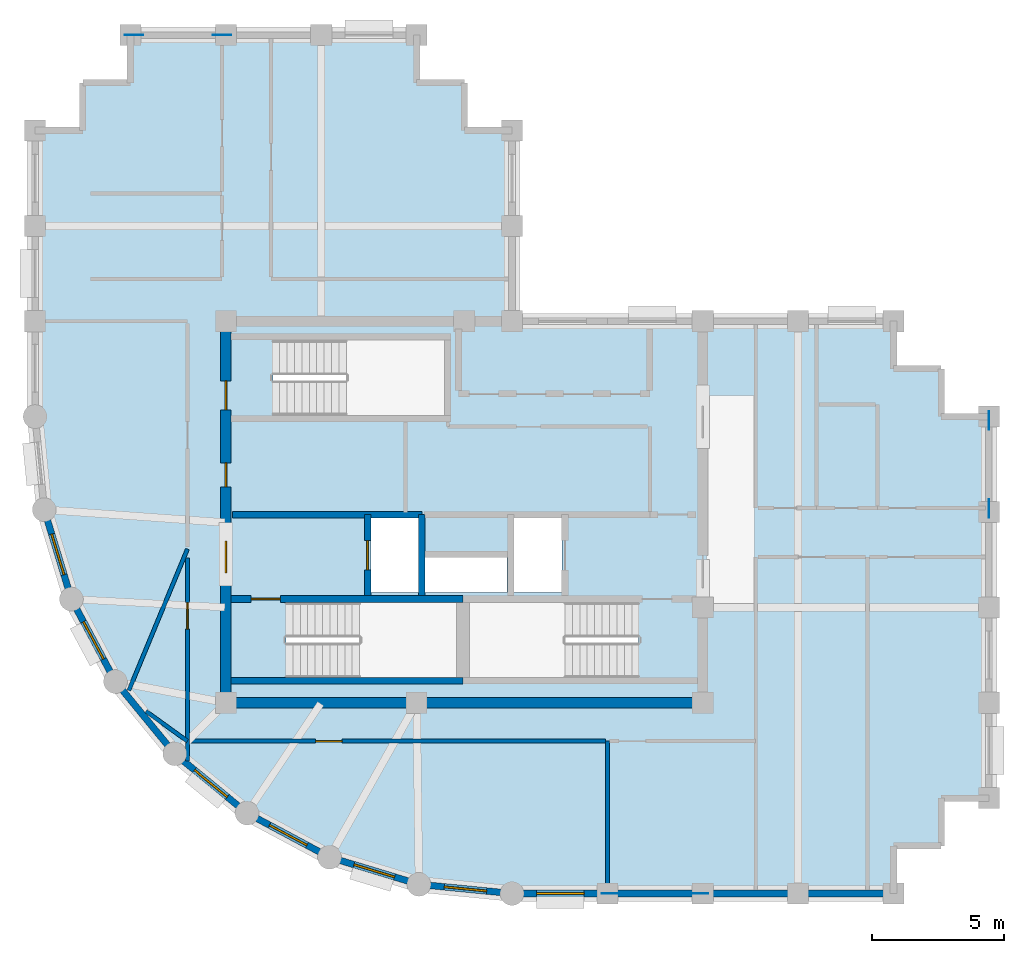
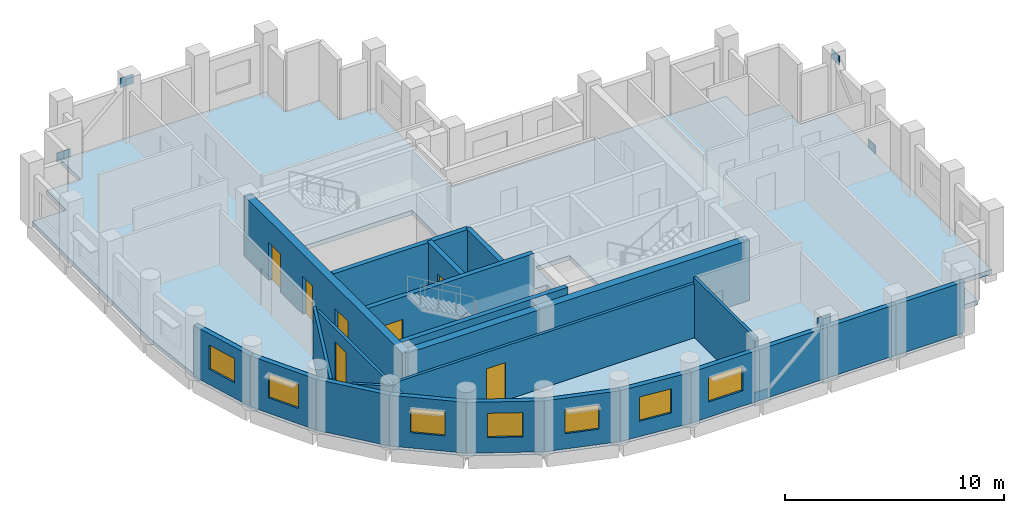
# One storey, part 2 of 7: 23 walls, 7 doors, 7 windows, 6 plates, 1 slab, 14 openings.
"""IFC4 building model written with IfcOpenShell, lengths in metres."""

from ifc_helpers import new_model, si_unit, direction, frame, frame_2d, origin, origin_2d, place, context, subcontext, project, spatial, polyline, rectangle, outline, extrude, material, layer, layer_set, type_object, element, fill, save


model = new_model("IFC4")

# Units and contexts
model_context = context("Model", 3, precision=1e-05, world=origin(), true_north=direction((0.0, 1.0)))
body_context = subcontext(model_context, "Body", "Model", "MODEL_VIEW")
ifc_project = project(units=[si_unit("LENGTHUNIT", "METRE"), si_unit("AREAUNIT", "SQUARE_METRE"), si_unit("VOLUMEUNIT", "CUBIC_METRE"), si_unit("PLANEANGLEUNIT", "RADIAN"), si_unit("MASSUNIT", "GRAM", prefix="KILO")], contexts=[model_context])

# Site, building, storey
site_placement = place(None, origin())
site = spatial("IfcSite", under=ifc_project, at=site_placement, CompositionType="ELEMENT")
building_placement = place(site_placement, origin())
building = spatial("IfcBuilding", under=site, at=building_placement, Name="Solnavia Interchange Tower", CompositionType="ELEMENT")
storey_placement = place(building_placement, frame((0.0, 0.0, 259.39990234375)))
storey = spatial("IfcBuildingStorey", under=building, at=storey_placement, Name="L65", CompositionType="ELEMENT", Elevation=259.39990234375)

# Plates
ifc_material_1 = material(Name="Steel S460", Category="steel")
ifc_layer_1 = layer(ifc_material_1, 0.030029296875)
ifc_layer_set_1 = layer_set([ifc_layer_1], Name="Steel S460")
plate_type = type_object("IfcPlateType", Name="Plate-Gusset-700x520x30", PredefinedType="USERDEFINED", material=ifc_layer_set_1)
for number, where, z_axis, x_axis, name in (
    (1, (28.93994140625, 3.60009765625, -0.079833984375), (0.0, 0.0, 1.0), (1.0, 0.0, 0.0), "PLT-L65-GP01 Perimeter brace gusset plate"),
    (2, (32.260009765625, 3.60009765625, 2.91015625), (0.0, 0.0, 1.0), (1.0, 0.0, 0.0), "PLT-L65-GP02 Perimeter brace gusset plate"),
    (3, (43.199951171875, 18.139892578125, -0.079833984375), (0.0, 0.0, 1.0), (0.0, 1.0, 0.0), "PLT-L65-GP03 Perimeter brace gusset plate"),
    (4, (43.199951171875, 21.4599609375, 2.91015625), (0.0, 0.0, 1.0), (0.0, 1.0, 0.0), "PLT-L65-GP04 Perimeter brace gusset plate"),
    (5, (10.93994140625, 36.0, -0.079833984375), (0.0, 0.0, 1.0), (1.0, 0.0, 0.0), "PLT-L65-GP05 Perimeter brace gusset plate"),
    (6, (14.260009765625, 36.0, 2.91015625), (0.0, 0.0, 1.0), (1.0, 0.0, 0.0), "PLT-L65-GP06 Perimeter brace gusset plate"),
):
    element("IfcPlate", number, at=place(storey_placement, frame(where, z_axis=z_axis, x_axis=x_axis)), inside=storey, type_object=plate_type, Name=name, ObjectType="GUSSET PLATE", PredefinedType="USERDEFINED", context=body_context, shape_type="SweptSolid", body=[
        extrude(rectangle(XDim=0.699951171875, YDim=0.030029296875, at=origin_2d()), origin(), (0.0, 0.0, 1.0), 0.52001953125),
    ])

# Slab
ifc_material_2 = material(Name="Concrete C40/50", Category="concrete")
ifc_layer_2 = layer(ifc_material_2, 0.25)
ifc_layer_set_2 = layer_set([ifc_layer_2], Name="Concrete C40/50")
slab_type = type_object("IfcSlabType", Name="Slab-Tower-250", PredefinedType="FLOOR", material=ifc_layer_set_2)
slab_placement = place(storey_placement, frame((0.0, 0.0, -0.25)))
element("IfcSlab", 7, at=slab_placement, inside=storey, type_object=slab_type, Name="SLB-L65-01 Structural floor slab", PredefinedType="FLOOR", context=body_context, shape_type="SweptSolid", body=[
    extrude(outline(polyline([(25.199951171875, 3.60009765625), (39.60009765625, 3.60009765625), (39.60009765625, 5.39990234375), (41.39990234375, 5.39990234375), (41.39990234375, 7.199951171875), (43.199951171875, 7.199951171875), (43.199951171875, 21.60009765625), (41.39990234375, 21.60009765625), (41.39990234375, 23.39990234375), (39.60009765625, 23.39990234375), (39.60009765625, 25.199951171875), (25.199951171875, 25.199951171875), (25.199951171875, 32.39990234375), (23.39990234375, 32.39990234375), (23.39990234375, 34.199951171875), (21.60009765625, 34.199951171875), (21.60009765625, 36.0), (10.800048828125, 36.0), (10.800048828125, 34.199951171875), (9.0, 34.199951171875), (9.0, 32.39990234375), (7.199951171875, 32.39990234375), (7.199951171875, 21.60009765625), (7.5458984375, 18.087890625), (8.570068359375, 14.7119140625), (10.23388671875, 11.60009765625), (12.471923828125, 8.8720703125), (15.199951171875, 6.634033203125), (18.31201171875, 4.969970703125), (21.68798828125, 3.946044921875), (25.199951171875, 3.60009765625)]), holes=[polyline([(16.675048828125, 11.75), (23.10009765625, 11.75), (23.10009765625, 14.590087890625), (16.675048828125, 14.590087890625), (16.675048828125, 11.75)]), polyline([(23.60009765625, 11.75), (29.97509765625, 11.75), (29.97509765625, 14.590087890625), (23.60009765625, 14.590087890625), (23.60009765625, 11.75)]), polyline([(16.175048828125, 21.64990234375), (22.64990234375, 21.64990234375), (22.64990234375, 24.489990234375), (16.175048828125, 24.489990234375), (16.175048828125, 21.64990234375)]), polyline([(19.8798828125, 14.9599609375), (21.679931640625, 14.9599609375), (21.679931640625, 17.780029296875), (19.8798828125, 17.780029296875), (19.8798828125, 14.9599609375)]), polyline([(25.280029296875, 14.9599609375), (27.080078125, 14.9599609375), (27.080078125, 17.780029296875), (25.280029296875, 17.780029296875), (25.280029296875, 14.9599609375)]), polyline([(21.919921875, 14.9599609375), (25.02001953125, 14.9599609375), (25.02001953125, 16.280029296875), (21.919921875, 16.280029296875), (21.919921875, 14.9599609375)])]), origin(), (0.0, 0.0, 1.0), 0.25),
])

# Wall, opening, window
ifc_layer_3 = layer(ifc_material_2, 0.25)
ifc_layer_set_3 = layer_set([ifc_layer_3], Name="Concrete C40/50")
wall_type_1 = type_object("IfcWallType", Name="Wall-ExtSpandrel-250", PredefinedType="STANDARD", material=ifc_layer_set_3)
wall_1_placement = place(storey_placement, frame((28.800048828125, 3.60009765625, 0.0), z_axis=(0.0, 0.0, 1.0), x_axis=(-1.0, 0.0, 0.0)))
wall_1 = element("IfcWall", 8, at=wall_1_placement, inside=storey, type_object=wall_type_1, Name="EXW-L65-01 Exterior precast spandrel wall", PredefinedType="STANDARD", context=body_context, shape_type="SweptSolid", body=[
    extrude(rectangle(XDim=3.60009765625, YDim=0.25, at=frame_2d((1.800048828125, 0.0))), origin(), (0.0, 0.0, 1.0), 2.830078125),
])
opening_1_placement = place(wall_1_placement, frame((0.875, 0.0, 0.85009765625)))
opening_1 = element("IfcOpeningElement", 9, at=opening_1_placement, cuts=wall_1, Name="Opening WIN-02", PredefinedType="OPENING", context=body_context, shape_type="SweptSolid", body=[
    extrude(rectangle(XDim=1.800048828125, YDim=1.35009765625, at=frame_2d((0.89990234375, 0.675048828125))), frame((0.0, 0.135009765625, 0.0), z_axis=(0.0, -1.0, 0.0), x_axis=(1.0, 0.0, 0.0)), (0.0, 0.0, 1.0), 0.27001953125),
])
ifc_material_3 = material(Name="Thermal-Break Aluminium & Low-E Glass", Category="aluminium")
window_type_1 = type_object("IfcWindowType", Name="Window-Ribbon-1800x1350", PartitioningType="SINGLE_PANEL", PredefinedType="WINDOW", material=ifc_material_3)
window_1_placement = place(opening_1_placement, origin())
window_1 = element("IfcWindow", 10, at=window_1_placement, inside=storey, type_object=window_type_1, Name="WIN-L65-01 Facade ribbon window", OverallHeight=1.35009765625, OverallWidth=1.800048828125, PartitioningType="SINGLE_PANEL", PredefinedType="WINDOW", context=body_context, shape_type="SweptSolid", body=[
    extrude(rectangle(XDim=1.800048828125, YDim=1.35009765625, at=frame_2d((0.89990234375, 0.675048828125))), frame((0.0, 0.030029296875, 0.0), z_axis=(0.0, -1.0, 0.0), x_axis=(1.0, 0.0, 0.0)), (0.0, 0.0, 1.0), 0.06005859375),
])
fill(opening_1, window_1)

# Walls
wall_2_placement = place(storey_placement, frame((32.39990234375, 3.60009765625, 0.0), z_axis=(0.0, 0.0, 1.0), x_axis=(-1.0, 0.0, 0.0)))
element("IfcWall", 11, at=wall_2_placement, inside=storey, type_object=wall_type_1, Name="EXW-L65-02 Exterior precast spandrel wall", PredefinedType="STANDARD", context=body_context, shape_type="SweptSolid", body=[
    extrude(rectangle(XDim=3.599853515625, YDim=0.25, at=frame_2d((1.7998046875, 0.0))), origin(), (0.0, 0.0, 1.0), 2.830078125),
])
for number, where, z_axis, x_axis, name in (
    (12, (36.0, 3.60009765625, 0.0), (0.0, 0.0, 1.0), (-1.0, 0.0, 0.0), "EXW-L65-03 Exterior precast spandrel wall"),
    (13, (39.60009765625, 3.60009765625, 0.0), (0.0, 0.0, 1.0), (-1.0, 0.0, 0.0), "EXW-L65-04 Exterior precast spandrel wall"),
):
    element("IfcWall", number, at=place(storey_placement, frame(where, z_axis=z_axis, x_axis=x_axis)), inside=storey, type_object=wall_type_1, Name=name, PredefinedType="STANDARD", context=body_context, shape_type="SweptSolid", body=[
        extrude(rectangle(XDim=3.60009765625, YDim=0.25, at=frame_2d((1.800048828125, 0.0))), origin(), (0.0, 0.0, 1.0), 2.830078125),
    ])

# Wall, opening, window
wall_3_placement = place(storey_placement, frame((8.570068359375, 14.7119140625, 0.0), z_axis=(0.0, 0.0, 1.0), x_axis=(-0.290305086481, 0.956934144423, 0.0)))
wall_3 = element("IfcWall", 14, at=wall_3_placement, inside=storey, type_object=wall_type_1, Name="EXW-L65-38 Exterior precast spandrel wall", PredefinedType="STANDARD", context=body_context, shape_type="SweptSolid", body=[
    extrude(rectangle(XDim=3.52783203125, YDim=0.25, at=frame_2d((1.763916015625, 0.0))), origin(), (0.0, 0.0, 1.0), 2.830078125),
])
opening_2_placement = place(wall_3_placement, frame((0.964111328125, 0.0, 0.85009765625)))
opening_2 = element("IfcOpeningElement", 15, at=opening_2_placement, cuts=wall_3, Name="Opening WIN-04", PredefinedType="OPENING", context=body_context, shape_type="SweptSolid", body=[
    extrude(rectangle(XDim=1.60009765625, YDim=1.35009765625, at=frame_2d((0.800048828125, 0.675048828125))), frame((0.0, 0.135009765625, 0.0), z_axis=(0.0, -1.0, 0.0), x_axis=(1.0, 0.0, 0.0)), (0.0, 0.0, 1.0), 0.27001953125),
])
window_type_2 = type_object("IfcWindowType", Name="Window-Drum-1600x1350", PartitioningType="SINGLE_PANEL", PredefinedType="WINDOW", material=ifc_material_3)
window_2_placement = place(opening_2_placement, origin())
window_2 = element("IfcWindow", 16, at=window_2_placement, inside=storey, type_object=window_type_2, Name="WIN-L65-38 Facade ribbon window", OverallHeight=1.35009765625, OverallWidth=1.60009765625, PartitioningType="SINGLE_PANEL", PredefinedType="WINDOW", context=body_context, shape_type="SweptSolid", body=[
    extrude(rectangle(XDim=1.60009765625, YDim=1.35009765625, at=frame_2d((0.800048828125, 0.675048828125))), frame((0.0, 0.030029296875, 0.0), z_axis=(0.0, -1.0, 0.0), x_axis=(1.0, 0.0, 0.0)), (0.0, 0.0, 1.0), 0.06005859375),
])
fill(opening_2, window_2)

wall_4_placement = place(storey_placement, frame((10.23388671875, 11.60009765625, 0.0), z_axis=(0.0, 0.0, 1.0), x_axis=(-0.47151087309, 0.881860247748, 0.0)))
wall_4 = element("IfcWall", 17, at=wall_4_placement, inside=storey, type_object=wall_type_1, Name="EXW-L65-39 Exterior precast spandrel wall", PredefinedType="STANDARD", context=body_context, shape_type="SweptSolid", body=[
    extrude(rectangle(XDim=3.52880859375, YDim=0.25, at=frame_2d((1.764404296875, 0.0))), origin(), (0.0, 0.0, 1.0), 2.830078125),
])
opening_3_placement = place(wall_4_placement, frame((0.964111328125, 0.0, 0.85009765625)))
opening_3 = element("IfcOpeningElement", 18, at=opening_3_placement, cuts=wall_4, Name="Opening WIN-04", PredefinedType="OPENING", context=body_context, shape_type="SweptSolid", body=[
    extrude(rectangle(XDim=1.60009765625, YDim=1.35009765625, at=frame_2d((0.800048828125, 0.675048828125))), frame((0.0, 0.135009765625, 0.0), z_axis=(0.0, -1.0, 0.0), x_axis=(1.0, 0.0, 0.0)), (0.0, 0.0, 1.0), 0.27001953125),
])
window_3_placement = place(opening_3_placement, origin())
window_3 = element("IfcWindow", 19, at=window_3_placement, inside=storey, type_object=window_type_2, Name="WIN-L65-39 Facade ribbon window", OverallHeight=1.35009765625, OverallWidth=1.60009765625, PartitioningType="SINGLE_PANEL", PredefinedType="WINDOW", context=body_context, shape_type="SweptSolid", body=[
    extrude(rectangle(XDim=1.60009765625, YDim=1.35009765625, at=frame_2d((0.800048828125, 0.675048828125))), frame((0.0, 0.030029296875, 0.0), z_axis=(0.0, -1.0, 0.0), x_axis=(1.0, 0.0, 0.0)), (0.0, 0.0, 1.0), 0.06005859375),
])
fill(opening_3, window_3)

# Wall
wall_5_placement = place(storey_placement, frame((12.471923828125, 8.8720703125, 0.0), z_axis=(0.0, 0.0, 1.0), x_axis=(-0.634258295121, 0.773121216285, 0.0)))
element("IfcWall", 20, at=wall_5_placement, inside=storey, type_object=wall_type_1, Name="EXW-L65-40 Exterior precast spandrel wall", PredefinedType="STANDARD", context=body_context, shape_type="SweptSolid", body=[
    extrude(rectangle(XDim=3.528564453125, YDim=0.25, at=frame_2d((1.76416015625, 0.0))), origin(), (0.0, 0.0, 1.0), 2.830078125),
])

# Wall, opening, window
wall_6_placement = place(storey_placement, frame((15.199951171875, 6.634033203125, 0.0), z_axis=(0.0, 0.0, 1.0), x_axis=(-0.773121216285, 0.634258295121, 0.0)))
wall_6 = element("IfcWall", 21, at=wall_6_placement, inside=storey, type_object=wall_type_1, Name="EXW-L65-41 Exterior precast spandrel wall", PredefinedType="STANDARD", context=body_context, shape_type="SweptSolid", body=[
    extrude(rectangle(XDim=3.528564453125, YDim=0.25, at=frame_2d((1.76416015625, 0.0))), origin(), (0.0, 0.0, 1.0), 2.830078125),
])
opening_4_placement = place(wall_6_placement, frame((0.964111328125, 0.0, 0.85009765625)))
opening_4 = element("IfcOpeningElement", 22, at=opening_4_placement, cuts=wall_6, Name="Opening WIN-04", PredefinedType="OPENING", context=body_context, shape_type="SweptSolid", body=[
    extrude(rectangle(XDim=1.60009765625, YDim=1.35009765625, at=frame_2d((0.800048828125, 0.675048828125))), frame((0.0, 0.135009765625, 0.0), z_axis=(0.0, -1.0, 0.0), x_axis=(1.0, 0.0, 0.0)), (0.0, 0.0, 1.0), 0.27001953125),
])
window_4_placement = place(opening_4_placement, origin())
window_4 = element("IfcWindow", 23, at=window_4_placement, inside=storey, type_object=window_type_2, Name="WIN-L65-41 Facade ribbon window", OverallHeight=1.35009765625, OverallWidth=1.60009765625, PartitioningType="SINGLE_PANEL", PredefinedType="WINDOW", context=body_context, shape_type="SweptSolid", body=[
    extrude(rectangle(XDim=1.60009765625, YDim=1.35009765625, at=frame_2d((0.800048828125, 0.675048828125))), frame((0.0, 0.030029296875, 0.0), z_axis=(0.0, -1.0, 0.0), x_axis=(1.0, 0.0, 0.0)), (0.0, 0.0, 1.0), 0.06005859375),
])
fill(opening_4, window_4)

wall_7_placement = place(storey_placement, frame((18.31201171875, 4.969970703125, 0.0), z_axis=(0.0, 0.0, 1.0), x_axis=(-0.881846862014, 0.471535907389, 0.0)))
wall_7 = element("IfcWall", 24, at=wall_7_placement, inside=storey, type_object=wall_type_1, Name="EXW-L65-42 Exterior precast spandrel wall", PredefinedType="STANDARD", context=body_context, shape_type="SweptSolid", body=[
    extrude(rectangle(XDim=3.529052734375, YDim=0.25, at=frame_2d((1.7646484375, 0.0))), origin(), (0.0, 0.0, 1.0), 2.830078125),
])
opening_5_placement = place(wall_7_placement, frame((0.964111328125, 0.0, 0.85009765625)))
opening_5 = element("IfcOpeningElement", 25, at=opening_5_placement, cuts=wall_7, Name="Opening WIN-04", PredefinedType="OPENING", context=body_context, shape_type="SweptSolid", body=[
    extrude(rectangle(XDim=1.60009765625, YDim=1.35009765625, at=frame_2d((0.800048828125, 0.675048828125))), frame((0.0, 0.135009765625, 0.0), z_axis=(0.0, -1.0, 0.0), x_axis=(1.0, 0.0, 0.0)), (0.0, 0.0, 1.0), 0.27001953125),
])
window_5_placement = place(opening_5_placement, origin())
window_5 = element("IfcWindow", 26, at=window_5_placement, inside=storey, type_object=window_type_2, Name="WIN-L65-42 Facade ribbon window", OverallHeight=1.35009765625, OverallWidth=1.60009765625, PartitioningType="SINGLE_PANEL", PredefinedType="WINDOW", context=body_context, shape_type="SweptSolid", body=[
    extrude(rectangle(XDim=1.60009765625, YDim=1.35009765625, at=frame_2d((0.800048828125, 0.675048828125))), frame((0.0, 0.030029296875, 0.0), z_axis=(0.0, -1.0, 0.0), x_axis=(1.0, 0.0, 0.0)), (0.0, 0.0, 1.0), 0.06005859375),
])
fill(opening_5, window_5)

wall_8_placement = place(storey_placement, frame((21.68798828125, 3.946044921875, 0.0), z_axis=(0.0, 0.0, 1.0), x_axis=(-0.956953367403, 0.290241714123, 0.0)))
wall_8 = element("IfcWall", 27, at=wall_8_placement, inside=storey, type_object=wall_type_1, Name="EXW-L65-43 Exterior precast spandrel wall", PredefinedType="STANDARD", context=body_context, shape_type="SweptSolid", body=[
    extrude(rectangle(XDim=3.52783203125, YDim=0.25, at=frame_2d((1.763916015625, 0.0))), origin(), (0.0, 0.0, 1.0), 2.830078125),
])
opening_6_placement = place(wall_8_placement, frame((0.964111328125, 0.0, 0.85009765625)))
opening_6 = element("IfcOpeningElement", 28, at=opening_6_placement, cuts=wall_8, Name="Opening WIN-04", PredefinedType="OPENING", context=body_context, shape_type="SweptSolid", body=[
    extrude(rectangle(XDim=1.60009765625, YDim=1.35009765625, at=frame_2d((0.800048828125, 0.675048828125))), frame((0.0, 0.135009765625, 0.0), z_axis=(0.0, -1.0, 0.0), x_axis=(1.0, 0.0, 0.0)), (0.0, 0.0, 1.0), 0.27001953125),
])
window_6_placement = place(opening_6_placement, origin())
window_6 = element("IfcWindow", 29, at=window_6_placement, inside=storey, type_object=window_type_2, Name="WIN-L65-43 Facade ribbon window", OverallHeight=1.35009765625, OverallWidth=1.60009765625, PartitioningType="SINGLE_PANEL", PredefinedType="WINDOW", context=body_context, shape_type="SweptSolid", body=[
    extrude(rectangle(XDim=1.60009765625, YDim=1.35009765625, at=frame_2d((0.800048828125, 0.675048828125))), frame((0.0, 0.030029296875, 0.0), z_axis=(0.0, -1.0, 0.0), x_axis=(1.0, 0.0, 0.0)), (0.0, 0.0, 1.0), 0.06005859375),
])
fill(opening_6, window_6)

wall_9_placement = place(storey_placement, frame((25.199951171875, 3.60009765625, 0.0), z_axis=(0.0, 0.0, 1.0), x_axis=(-0.995183369056, 0.098030923459, 0.0)))
wall_9 = element("IfcWall", 30, at=wall_9_placement, inside=storey, type_object=wall_type_1, Name="EXW-L65-44 Exterior precast spandrel wall", PredefinedType="STANDARD", context=body_context, shape_type="SweptSolid", body=[
    extrude(rectangle(XDim=3.529052734375, YDim=0.25, at=frame_2d((1.7646484375, 0.0))), origin(), (0.0, 0.0, 1.0), 2.830078125),
])
opening_7_placement = place(wall_9_placement, frame((0.965087890625, 0.0, 0.85009765625)))
opening_7 = element("IfcOpeningElement", 31, at=opening_7_placement, cuts=wall_9, Name="Opening WIN-04", PredefinedType="OPENING", context=body_context, shape_type="SweptSolid", body=[
    extrude(rectangle(XDim=1.60009765625, YDim=1.35009765625, at=frame_2d((0.800048828125, 0.675048828125))), frame((0.0, 0.135009765625, 0.0), z_axis=(0.0, -1.0, 0.0), x_axis=(1.0, 0.0, 0.0)), (0.0, 0.0, 1.0), 0.27001953125),
])
window_7_placement = place(opening_7_placement, origin())
window_7 = element("IfcWindow", 32, at=window_7_placement, inside=storey, type_object=window_type_2, Name="WIN-L65-44 Facade ribbon window", OverallHeight=1.35009765625, OverallWidth=1.60009765625, PartitioningType="SINGLE_PANEL", PredefinedType="WINDOW", context=body_context, shape_type="SweptSolid", body=[
    extrude(rectangle(XDim=1.60009765625, YDim=1.35009765625, at=frame_2d((0.800048828125, 0.675048828125))), frame((0.0, 0.030029296875, 0.0), z_axis=(0.0, -1.0, 0.0), x_axis=(1.0, 0.0, 0.0)), (0.0, 0.0, 1.0), 0.06005859375),
])
fill(opening_7, window_7)

# Walls
ifc_material_4 = material(Name="Gypsum Plasterboard & Steel Stud", Category="steel")
ifc_layer_4 = layer(ifc_material_4, 0.14990234375)
ifc_layer_set_4 = layer_set([ifc_layer_4], Name="Gypsum Plasterboard & Steel Stud")
wall_type_2 = type_object("IfcWallType", Name="Wall-Partition-150", PredefinedType="PARTITIONING", material=ifc_layer_set_4)
wall_10_placement = place(storey_placement, frame((28.800048828125, 9.35009765625, 0.0), z_axis=(0.0, 0.0, 1.0), x_axis=(0.0, -1.0, 0.0)))
element("IfcWall", 33, at=wall_10_placement, inside=storey, type_object=wall_type_2, Name="PTW-L65-08 Interior partition wall", PredefinedType="PARTITIONING", context=body_context, shape_type="SweptSolid", body=[
    extrude(rectangle(XDim=5.62109375, YDim=0.14990234375, at=frame_2d((2.810546875, 0.0))), origin(), (0.0, 0.0, 1.0), 3.335205078125),
])
wall_11_placement = place(storey_placement, frame((12.949951171875, 9.35009765625, 0.0), z_axis=(0.0, 0.0, 1.0), x_axis=(-0.8106792284, 0.585490553844, 0.0)))
element("IfcWall", 34, at=wall_11_placement, inside=storey, type_object=wall_type_2, Name="PTW-L65-09 Interior partition wall", PredefinedType="PARTITIONING", context=body_context, shape_type="SweptSolid", body=[
    extrude(rectangle(XDim=1.9296875, YDim=0.14990234375, at=frame_2d((0.96484375, 0.0))), origin(), (0.0, 0.0, 1.0), 2.830078125),
])
wall_12_placement = place(storey_placement, frame((12.949951171875, 16.60009765625, 0.0), z_axis=(0.0, 0.0, 1.0), x_axis=(-0.382758890427, -0.923848273148, 0.0)))
element("IfcWall", 35, at=wall_12_placement, inside=storey, type_object=wall_type_2, Name="PTW-L65-10 Interior partition wall", PredefinedType="PARTITIONING", context=body_context, shape_type="SweptSolid", body=[
    extrude(rectangle(XDim=5.773193359375, YDim=0.14990234375, at=frame_2d((2.88671875, 0.0))), origin(), (0.0, 0.0, 1.0), 2.830078125),
])

# Wall, opening, door
wall_13_placement = place(storey_placement, frame((12.949951171875, 8.60888671875, 0.0), z_axis=(0.0, 0.0, 1.0), x_axis=(0.0, 1.0, 0.0)))
wall_13 = element("IfcWall", 36, at=wall_13_placement, inside=storey, type_object=wall_type_2, Name="PTW-L65-12 Interior partition wall", PredefinedType="PARTITIONING", context=body_context, shape_type="SweptSolid", body=[
    extrude(rectangle(XDim=7.651611328125, YDim=0.14990234375, at=frame_2d((3.82568359375, 0.0))), origin(), (0.0, 0.0, 1.0), 2.830078125),
])
opening_8_placement = place(wall_13_placement, frame((4.971923828125, 0.0, 0.0)))
opening_8 = element("IfcOpeningElement", 37, at=opening_8_placement, cuts=wall_13, Name="Opening DR-07", PredefinedType="OPENING", context=body_context, shape_type="SweptSolid", body=[
    extrude(rectangle(XDim=1.0, YDim=2.10009765625, at=frame_2d((0.5, 1.050048828125))), frame((0.0, 0.0849609375, 0.0), z_axis=(0.0, -1.0, 0.0), x_axis=(1.0, 0.0, 0.0)), (0.0, 0.0, 1.0), 0.169921875),
])
ifc_material_5 = material(Name="Timber & Acoustic Glazed Office Door", Category="wood")
door_type_1 = type_object("IfcDoorType", Name="Door-Office-1000x2100", OperationType="SINGLE_SWING_RIGHT", PredefinedType="DOOR", material=ifc_material_5)
door_1_placement = place(opening_8_placement, origin())
door_1 = element("IfcDoor", 38, at=door_1_placement, inside=storey, type_object=door_type_1, Name="DR-L65-04 Interior room door", OperationType="SINGLE_SWING_RIGHT", OverallHeight=2.10009765625, OverallWidth=1.0, PredefinedType="DOOR", context=body_context, shape_type="SweptSolid", body=[
    extrude(rectangle(XDim=1.0, YDim=2.10009765625, at=frame_2d((0.5, 1.050048828125))), frame((0.0, 0.02490234375, 0.0), z_axis=(0.0, -1.0, 0.0), x_axis=(1.0, 0.0, 0.0)), (0.0, 0.0, 1.0), 0.050048828125),
])
fill(opening_8, door_1)

wall_14_placement = place(storey_placement, frame((12.949951171875, 9.35009765625, 0.0), z_axis=(0.0, 0.0, 1.0), x_axis=(1.0, 0.0, 0.0)))
wall_14 = element("IfcWall", 39, at=wall_14_placement, inside=storey, type_object=wall_type_2, Name="PTW-L65-13 Interior partition wall", PredefinedType="PARTITIONING", context=body_context, shape_type="SweptSolid", body=[
    extrude(rectangle(XDim=15.77099609375, YDim=0.14990234375, at=frame_2d((7.885498046875, 0.0))), origin(), (0.0, 0.0, 1.0), 3.02001953125),
])
opening_9_placement = place(wall_14_placement, frame((4.8359375, 0.0, 0.0)))
opening_9 = element("IfcOpeningElement", 40, at=opening_9_placement, cuts=wall_14, Name="Opening DR-07", PredefinedType="OPENING", context=body_context, shape_type="SweptSolid", body=[
    extrude(rectangle(XDim=1.0, YDim=2.10009765625, at=frame_2d((0.5, 1.050048828125))), frame((0.0, 0.0849609375, 0.0), z_axis=(0.0, -1.0, 0.0), x_axis=(1.0, 0.0, 0.0)), (0.0, 0.0, 1.0), 0.169921875),
])
door_2_placement = place(opening_9_placement, origin())
door_2 = element("IfcDoor", 41, at=door_2_placement, inside=storey, type_object=door_type_1, Name="DR-L65-05 Interior room door", OperationType="SINGLE_SWING_LEFT", OverallHeight=2.10009765625, OverallWidth=1.0, PredefinedType="DOOR", context=body_context, shape_type="SweptSolid", body=[
    extrude(rectangle(XDim=1.0, YDim=2.10009765625, at=frame_2d((0.5, 1.050048828125))), frame((0.0, 0.02490234375, 0.0), z_axis=(0.0, -1.0, 0.0), x_axis=(1.0, 0.0, 0.0)), (0.0, 0.0, 1.0), 0.050048828125),
])
fill(opening_9, door_2)

# Wall
ifc_layer_5 = layer(ifc_material_2, 0.25)
ifc_layer_set_5 = layer_set([ifc_layer_5], Name="Concrete C40/50")
wall_type_3 = type_object("IfcWallType", Name="Wall-ShaftCore-250", PredefinedType="SHEAR", material=ifc_layer_set_5)
wall_15_placement = place(storey_placement, frame((14.60009765625, 11.625, 0.0), z_axis=(0.0, 0.0, 1.0), x_axis=(1.0, 0.0, 0.0)))
element("IfcWall", 42, at=wall_15_placement, inside=storey, type_object=wall_type_3, Name="SHW-L65-ST1S Core shear wall", PredefinedType="SHEAR", context=body_context, shape_type="SweptSolid", body=[
    extrude(rectangle(XDim=8.75, YDim=0.25, at=frame_2d((4.375, 0.0))), origin(), (0.0, 0.0, 1.0), 3.35009765625),
])

# Wall, opening, door
wall_16_placement = place(storey_placement, frame((14.60009765625, 14.715087890625, 0.0), z_axis=(0.0, 0.0, 1.0), x_axis=(1.0, 0.0, 0.0)))
wall_16 = element("IfcWall", 43, at=wall_16_placement, inside=storey, type_object=wall_type_3, Name="SHW-L65-ST1N Core shear wall", PredefinedType="SHEAR", context=body_context, shape_type="SweptSolid", body=[
    extrude(rectangle(XDim=8.75, YDim=0.25, at=frame_2d((4.375, 0.0))), origin(), (0.0, 0.0, 1.0), 3.35009765625),
])
opening_10_placement = place(wall_16_placement, frame((0.7548828125, 0.0, 0.0)))
opening_10 = element("IfcOpeningElement", 44, at=opening_10_placement, cuts=wall_16, Name="Opening DR-01", PredefinedType="OPENING", context=body_context, shape_type="SweptSolid", body=[
    extrude(rectangle(XDim=1.10009765625, YDim=2.10009765625, at=frame_2d((0.550048828125, 1.050048828125))), frame((0.0, 0.135009765625, 0.0), z_axis=(0.0, -1.0, 0.0), x_axis=(1.0, 0.0, 0.0)), (0.0, 0.0, 1.0), 0.27001953125),
])
ifc_material_6 = material(Name="Steel Fire-Rated Leaf & Frame", Category="steel")
door_type_2 = type_object("IfcDoorType", Name="Door-StairFire-1100x2100", OperationType="SINGLE_SWING_LEFT", PredefinedType="DOOR", material=ifc_material_6)
door_3_placement = place(opening_10_placement, origin())
door_3 = element("IfcDoor", 45, at=door_3_placement, inside=storey, type_object=door_type_2, Name="DR-L65-ST1 Core fire door", OperationType="SINGLE_SWING_LEFT", OverallHeight=2.10009765625, OverallWidth=1.10009765625, PredefinedType="DOOR", context=body_context, shape_type="SweptSolid", body=[
    extrude(rectangle(XDim=1.10009765625, YDim=2.10009765625, at=frame_2d((0.550048828125, 1.050048828125))), frame((0.0, 0.02490234375, 0.0), z_axis=(0.0, -1.0, 0.0), x_axis=(1.0, 0.0, 0.0)), (0.0, 0.0, 1.0), 0.050048828125),
])
fill(opening_10, door_3)

# Wall
ifc_layer_6 = layer(ifc_material_2, 0.25)
ifc_layer_set_6 = layer_set([ifc_layer_6], Name="Concrete C40/50")
wall_type_4 = type_object("IfcWallType", Name="Wall-ShaftPart-250", PredefinedType="PARTITIONING", material=ifc_layer_set_6)
wall_17_placement = place(storey_placement, frame((14.64990234375, 17.89990234375, 0.0), z_axis=(0.0, 0.0, 1.0), x_axis=(1.0, 0.0, 0.0)))
element("IfcWall", 46, at=wall_17_placement, inside=storey, type_object=wall_type_4, Name="SHW-L65-FFLW-N Core shaft wall", PredefinedType="PARTITIONING", context=body_context, shape_type="SweptSolid", body=[
    extrude(rectangle(XDim=7.150146484375, YDim=0.25, at=frame_2d((3.5751953125, 0.0))), origin(), (0.0, 0.0, 1.0), 3.335205078125),
])

# Wall, opening, door
wall_18_placement = place(storey_placement, frame((19.75, 14.840087890625, 0.0), z_axis=(0.0, 0.0, 1.0), x_axis=(0.0, 1.0, 0.0)))
wall_18 = element("IfcWall", 47, at=wall_18_placement, inside=storey, type_object=wall_type_4, Name="SHW-L65-FFL1-W Core shaft wall", PredefinedType="PARTITIONING", context=body_context, shape_type="SweptSolid", body=[
    extrude(rectangle(XDim=3.059814453125, YDim=0.25, at=frame_2d((1.52978515625, 0.0))), origin(), (0.0, 0.0, 1.0), 3.335205078125),
])
opening_11_placement = place(wall_18_placement, frame((0.97998046875, 0.0, 0.0)))
opening_11 = element("IfcOpeningElement", 48, at=opening_11_placement, cuts=wall_18, Name="Opening LD-01", PredefinedType="OPENING", context=body_context, shape_type="SweptSolid", body=[
    extrude(rectangle(XDim=1.10009765625, YDim=2.10009765625, at=frame_2d((0.550048828125, 1.050048828125))), frame((0.0, 0.135009765625, 0.0), z_axis=(0.0, -1.0, 0.0), x_axis=(1.0, 0.0, 0.0)), (0.0, 0.0, 1.0), 0.27001953125),
])
ifc_material_7 = material(Name="Brushed Stainless Steel Sliding Door", Category="steel")
door_type_3 = type_object("IfcDoorType", Name="Door-LiftLanding-1100x2100", OperationType="SLIDING_TO_LEFT", PredefinedType="DOOR", material=ifc_material_7)
door_4_placement = place(opening_11_placement, origin())
door_4 = element("IfcDoor", 49, at=door_4_placement, inside=storey, type_object=door_type_3, Name="LD-L65-FFL1 Lift landing sliding door", OperationType="SLIDING_TO_LEFT", OverallHeight=2.10009765625, OverallWidth=1.10009765625, PredefinedType="DOOR", context=body_context, shape_type="SweptSolid", body=[
    extrude(rectangle(XDim=1.10009765625, YDim=2.10009765625, at=frame_2d((0.550048828125, 1.050048828125))), frame((0.0, 0.02490234375, 0.0), z_axis=(0.0, -1.0, 0.0), x_axis=(1.0, 0.0, 0.0)), (0.0, 0.0, 1.0), 0.050048828125),
])
fill(opening_11, door_4)

# Walls
wall_19_placement = place(storey_placement, frame((21.800048828125, 14.840087890625, 0.0), z_axis=(0.0, 0.0, 1.0), x_axis=(0.0, 1.0, 0.0)))
element("IfcWall", 50, at=wall_19_placement, inside=storey, type_object=wall_type_4, Name="SHW-L65-FFL1-E Core shaft wall", PredefinedType="PARTITIONING", context=body_context, shape_type="SweptSolid", body=[
    extrude(rectangle(XDim=3.059814453125, YDim=0.25, at=frame_2d((1.52978515625, 0.0))), origin(), (0.0, 0.0, 1.0), 3.335205078125),
])
ifc_material_8 = material(Name="Concrete C50/60", Category="concrete")
ifc_layer_7 = layer(ifc_material_8, 0.39990234375)
ifc_layer_set_7 = layer_set([ifc_layer_7], Name="Concrete C50/60")
wall_type_5 = type_object("IfcWallType", Name="Wall-ShearCore-400", PredefinedType="SHEAR", material=ifc_layer_set_7)
wall_20_placement = place(storey_placement, frame((14.39990234375, 10.800048828125, 0.0), z_axis=(0.0, 0.0, 1.0), x_axis=(1.0, 0.0, 0.0)))
element("IfcWall", 51, at=wall_20_placement, inside=storey, type_object=wall_type_5, Name="CRW-L65-S Core shear wall", PredefinedType="SHEAR", context=body_context, shape_type="SweptSolid", body=[
    extrude(rectangle(XDim=18.0, YDim=0.39990234375, at=frame_2d((9.0, 0.0))), origin(), (0.0, 0.0, 1.0), 3.35009765625),
])

# Wall, openings, doors
wall_21_placement = place(storey_placement, frame((14.39990234375, 10.800048828125, 0.0), z_axis=(0.0, 0.0, 1.0), x_axis=(0.0, 1.0, 0.0)))
wall_21 = element("IfcWall", 52, at=wall_21_placement, inside=storey, type_object=wall_type_5, Name="CRW-L65-W Core shear wall", PredefinedType="SHEAR", context=body_context, shape_type="SweptSolid", body=[
    extrude(rectangle(XDim=14.39990234375, YDim=0.39990234375, at=frame_2d((7.199951171875, 0.0))), origin(), (0.0, 0.0, 1.0), 3.35009765625),
])
opening_12_placement = place(wall_21_placement, frame((11.050048828125, 0.0, 0.0)))
opening_12 = element("IfcOpeningElement", 53, at=opening_12_placement, cuts=wall_21, Name="Opening DR-01", PredefinedType="OPENING", context=body_context, shape_type="SweptSolid", body=[
    extrude(rectangle(XDim=1.10009765625, YDim=2.10009765625, at=frame_2d((0.550048828125, 1.050048828125))), frame((0.0, 0.2099609375, 0.0), z_axis=(0.0, -1.0, 0.0), x_axis=(1.0, 0.0, 0.0)), (0.0, 0.0, 1.0), 0.419921875),
])
opening_13_placement = place(wall_21_placement, frame((4.89990234375, 0.0, 0.0)))
opening_13 = element("IfcOpeningElement", 54, at=opening_13_placement, cuts=wall_21, Name="Opening DR-02", PredefinedType="OPENING", context=body_context, shape_type="SweptSolid", body=[
    extrude(rectangle(XDim=1.199951171875, YDim=2.10009765625, at=frame_2d((0.60009765625, 1.050048828125))), frame((0.0, 0.2099609375, 0.0), z_axis=(0.0, -1.0, 0.0), x_axis=(1.0, 0.0, 0.0)), (0.0, 0.0, 1.0), 0.419921875),
])
opening_14_placement = place(wall_21_placement, frame((8.14990234375, 0.0, 0.0)))
opening_14 = element("IfcOpeningElement", 55, at=opening_14_placement, cuts=wall_21, Name="Opening DR-09", PredefinedType="OPENING", context=body_context, shape_type="SweptSolid", body=[
    extrude(rectangle(XDim=0.89990234375, YDim=2.10009765625, at=frame_2d((0.449951171875, 1.050048828125))), frame((0.0, 0.2099609375, 0.0), z_axis=(0.0, -1.0, 0.0), x_axis=(1.0, 0.0, 0.0)), (0.0, 0.0, 1.0), 0.419921875),
])
ifc_material_9 = material(Name="Engineered Oak Veneer Door", Category="wood")
door_type_4 = type_object("IfcDoorType", Name="Door-Internal-900x2100", OperationType="SINGLE_SWING_LEFT", PredefinedType="DOOR", material=ifc_material_9)
door_5_placement = place(opening_14_placement, origin())
door_5 = element("IfcDoor", 56, at=door_5_placement, inside=storey, type_object=door_type_4, Name="DR-L65-CS1 Core fire door", OperationType="SINGLE_SWING_RIGHT", OverallHeight=2.10009765625, OverallWidth=0.89990234375, PredefinedType="DOOR", context=body_context, shape_type="SweptSolid", body=[
    extrude(rectangle(XDim=0.89990234375, YDim=2.10009765625, at=frame_2d((0.449951171875, 1.050048828125))), frame((0.0, 0.02490234375, 0.0), z_axis=(0.0, -1.0, 0.0), x_axis=(1.0, 0.0, 0.0)), (0.0, 0.0, 1.0), 0.050048828125),
])
fill(opening_14, door_5)
ifc_material_10 = material(Name="Steel Fire-Rated Vision-Panel Door", Category="steel")
door_type_5 = type_object("IfcDoorType", Name="Door-LobbyFire-1200x2100", OperationType="SINGLE_SWING_RIGHT", PredefinedType="DOOR", material=ifc_material_10)
door_6_placement = place(opening_13_placement, origin())
door_6 = element("IfcDoor", 57, at=door_6_placement, inside=storey, type_object=door_type_5, Name="DR-L65-FFL1W Core fire door", OperationType="SINGLE_SWING_RIGHT", OverallHeight=2.10009765625, OverallWidth=1.199951171875, PredefinedType="DOOR", context=body_context, shape_type="SweptSolid", body=[
    extrude(rectangle(XDim=1.199951171875, YDim=2.10009765625, at=frame_2d((0.60009765625, 1.050048828125))), frame((0.0, 0.02490234375, 0.0), z_axis=(0.0, -1.0, 0.0), x_axis=(1.0, 0.0, 0.0)), (0.0, 0.0, 1.0), 0.050048828125),
])
fill(opening_13, door_6)
door_7_placement = place(opening_12_placement, origin())
door_7 = element("IfcDoor", 58, at=door_7_placement, inside=storey, type_object=door_type_2, Name="DR-L65-ST3 Core fire door", OperationType="SINGLE_SWING_RIGHT", OverallHeight=2.10009765625, OverallWidth=1.10009765625, PredefinedType="DOOR", context=body_context, shape_type="SweptSolid", body=[
    extrude(rectangle(XDim=1.10009765625, YDim=2.10009765625, at=frame_2d((0.550048828125, 1.050048828125))), frame((0.0, 0.02490234375, 0.0), z_axis=(0.0, -1.0, 0.0), x_axis=(1.0, 0.0, 0.0)), (0.0, 0.0, 1.0), 0.050048828125),
])
fill(opening_12, door_7)

save(model, "model.ifc")
